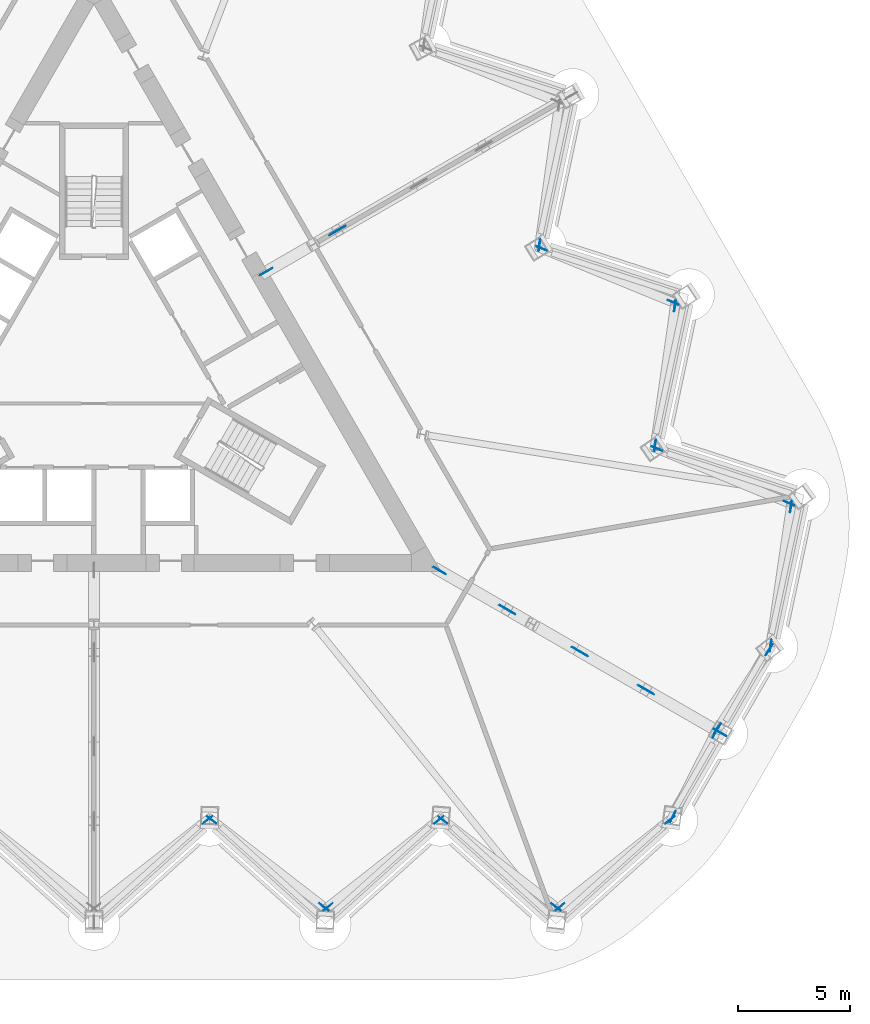
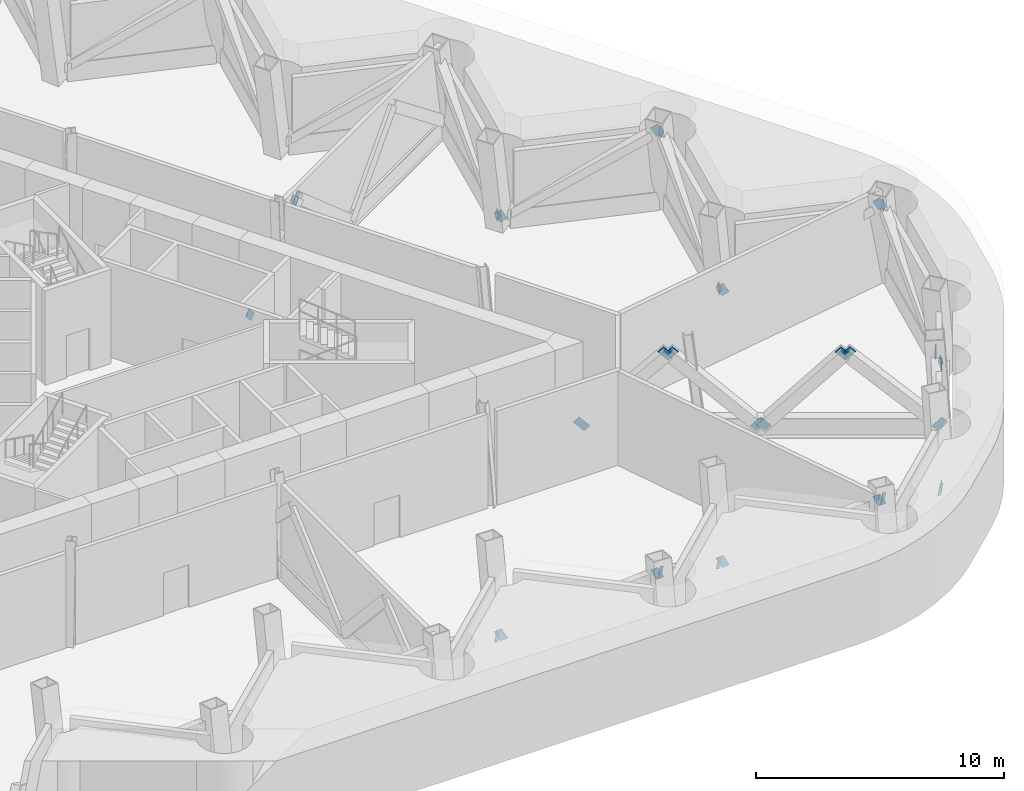
# One storey, part 9 of 13: 33 discrete accessories.
"""IFC4 building model written with IfcOpenShell, lengths in metres."""

from ifc_helpers import new_model, si_unit, direction, frame, origin, origin_2d, place, context, subcontext, project, spatial, rectangle, extrude, material, material_profile, profile_set, type_object, element, save


model = new_model("IFC4")

# Units and contexts
model_context = context("Model", 3, precision=1e-05, world=origin(), true_north=direction((0.0, 1.0)))
body_context = subcontext(model_context, "Body", "Model", "MODEL_VIEW")
ifc_project = project(units=[si_unit("LENGTHUNIT", "METRE"), si_unit("AREAUNIT", "SQUARE_METRE"), si_unit("VOLUMEUNIT", "CUBIC_METRE"), si_unit("PLANEANGLEUNIT", "RADIAN"), si_unit("MASSUNIT", "GRAM", prefix="KILO")], contexts=[model_context])

# Site, building, storey
site_placement = place(None, origin())
site = spatial("IfcSite", under=ifc_project, at=site_placement, CompositionType="ELEMENT")
building_placement = place(site_placement, origin())
building = spatial("IfcBuilding", under=site, at=building_placement, Name="Cormorant Prow Tower", CompositionType="ELEMENT")
storey_placement = place(building_placement, frame((0.0, 0.0, 226.0)))
storey = spatial("IfcBuildingStorey", under=building, at=storey_placement, Name="L49", CompositionType="ELEMENT", Elevation=226.0)

# Discrete accessories
ifc_material_1 = material(Name="Structural steel ASTM A500 Gr C", Category="steel")
ifc_material_profile_1 = material_profile(ifc_material_1, rectangle(XDim=0.031982421875, YDim=0.506103515625, at=origin_2d()), Name="Gusset plate 32x506")
ifc_profile_set_1 = profile_set([ifc_material_profile_1], Name="Structural steel ASTM A500 Gr C")
discrete_accessory_type_1 = type_object("IfcDiscreteAccessoryType", Name="Gusset plate 32x506", PredefinedType="BRACKET", material=ifc_profile_set_1)
discrete_accessory_1_placement = place(storey_placement, frame((4.96142578125, -20.154296875, 0.59912109375), z_axis=(0.684537831698, 0.533270306771, -0.497021867618), x_axis=(-0.614552200548, 0.788876158089, 0.0)))
element("IfcDiscreteAccessory", 1, at=discrete_accessory_1_placement, inside=storey, type_object=discrete_accessory_type_1, Name="Gusset plate GP2 L49.S05.g0", PredefinedType="BRACKET", context=body_context, shape_type="SweptSolid", body=[
    extrude(rectangle(XDim=0.031982421875, YDim=0.506103515625, at=origin_2d()), origin(), (0.0, 0.0, 1.0), 0.350341796875),
])
for number, where, z_axis, x_axis, name in (
    (2, (5.373046875, -20.15380859375, 0.5986328125), (-0.686866771604, 0.532060250491, -0.495101936892), (-0.612383612236, -0.790560757605, 0.0), "Gusset plate GP2 L49.S06.g0"),
    (3, (10.162841796875, -23.86083984375, 4.051513671875), (0.686866771604, -0.532060250491, 0.495101936892), (0.612383612236, 0.790560757605, 0.0), "Gusset plate GP2 L49.S06.g1"),
    (4, (15.2958984375, -20.15478515625, 0.599609375), (0.682067742862, 0.534914068277, -0.498648707716), (-0.617110632136, 0.786876399255, 0.0), "Gusset plate GP2 L49.S07.g0"),
):
    element("IfcDiscreteAccessory", number, at=place(storey_placement, frame(where, z_axis=z_axis, x_axis=x_axis)), inside=storey, type_object=discrete_accessory_type_1, Name=name, PredefinedType="BRACKET", context=body_context, shape_type="SweptSolid", body=[
        extrude(rectangle(XDim=0.031982421875, YDim=0.506103515625, at=origin_2d()), origin(), (0.0, 0.0, 1.0), 0.35009765625),
    ])
discrete_accessory_2_placement = place(storey_placement, frame((10.573486328125, -23.85986328125, 4.050537109375), z_axis=(-0.681931764395, -0.535354824248, 0.498361596497), x_axis=(0.617501497855, -0.786569704569, 0.0)))
element("IfcDiscreteAccessory", 5, at=discrete_accessory_2_placement, inside=storey, type_object=discrete_accessory_type_1, Name="Gusset plate GP2 L49.S07.g1", PredefinedType="BRACKET", context=body_context, shape_type="SweptSolid", body=[
    extrude(rectangle(XDim=0.031982421875, YDim=0.506103515625, at=origin_2d()), origin(), (0.0, 0.0, 1.0), 0.349853515625),
])
for number, where, z_axis, x_axis, name in (
    (6, (15.707275390625, -20.1533203125, 0.59814453125), (-0.689207803616, 0.530159848935, -0.493885754008), (-0.60971076085, -0.792623989105, 0.0), "Gusset plate GP2 L49.S08.g0"),
    (7, (20.531005859375, -23.861328125, 4.052001953125), (0.68981106465, -0.530087370206, 0.493120750968), (0.609323229483, 0.792921939419, 0.0), "Gusset plate GP2 L49.S08.g1"),
    (8, (25.63037109375, -20.1552734375, 0.60009765625), (0.67933311611, 0.53704979405, -0.500084029005), (-0.620166431531, 0.784470265339, 0.0), "Gusset plate GP2 L49.S09.g0"),
    (9, (20.941650390625, -23.859375, 4.050048828125), (-0.67933311611, -0.53704979405, 0.500084029005), (0.620166431531, -0.784470265339, 0.0), "Gusset plate GP2 L49.S09.g1"),
):
    element("IfcDiscreteAccessory", number, at=place(storey_placement, frame(where, z_axis=z_axis, x_axis=x_axis)), inside=storey, type_object=discrete_accessory_type_1, Name=name, PredefinedType="BRACKET", context=body_context, shape_type="SweptSolid", body=[
        extrude(rectangle(XDim=0.031982421875, YDim=0.506103515625, at=origin_2d()), origin(), (0.0, 0.0, 1.0), 0.35009765625),
    ])
discrete_accessory_3_placement = place(storey_placement, frame((25.937255859375, -19.790283203125, 0.64453125), z_axis=(-0.343608325147, -0.6795499331, -0.648186090034), x_axis=(0.892404493698, -0.45123632348, 0.0)))
element("IfcDiscreteAccessory", 10, at=discrete_accessory_3_placement, inside=storey, type_object=discrete_accessory_type_1, Name="Gusset plate GP2 L49.ESE00.g0", PredefinedType="BRACKET", context=body_context, shape_type="SweptSolid", body=[
    extrude(rectangle(XDim=0.031982421875, YDim=0.506103515625, at=origin_2d()), origin(), (0.0, 0.0, 1.0), 0.350341796875),
])
discrete_accessory_4_placement = place(storey_placement, frame((27.718505859375, -16.2666015625, 4.005615234375), z_axis=(0.343926574241, 0.67948171057, 0.648088818398), x_axis=(-0.892217899749, 0.451605158703, 0.0)))
element("IfcDiscreteAccessory", 11, at=discrete_accessory_4_placement, inside=storey, type_object=discrete_accessory_type_1, Name="Gusset plate GP2 L49.ESE00.g1", PredefinedType="BRACKET", context=body_context, shape_type="SweptSolid", body=[
    extrude(rectangle(XDim=0.031982421875, YDim=0.506103515625, at=origin_2d()), origin(), (0.0, 0.0, 1.0), 0.349853515625),
])
discrete_accessory_5_placement = place(storey_placement, frame((30.107666015625, -12.567138671875, 0.64453125), z_axis=(0.416282667863, 0.637323883462, -0.648480537877), x_axis=(-0.837227710568, 0.546854423642, 0.0)))
element("IfcDiscreteAccessory", 12, at=discrete_accessory_5_placement, inside=storey, type_object=discrete_accessory_type_1, Name="Gusset plate GP2 L49.ESE01.g0", PredefinedType="BRACKET", context=body_context, shape_type="SweptSolid", body=[
    extrude(rectangle(XDim=0.031982421875, YDim=0.506103515625, at=origin_2d()), origin(), (0.0, 0.0, 1.0), 0.35009765625),
])
for number, where, z_axis, x_axis, name in (
    (13, (27.946533203125, -15.87158203125, 4.005615234375), (-0.416470928816, -0.637612108773, 0.648076202462), (0.837227710568, -0.546854423642, 0.0), "Gusset plate GP2 L49.ESE01.g1"),
    (14, (30.270263671875, -12.118896484375, 0.60009765625), (-0.125580522605, -0.856738231991, -0.500229081708), (0.989427250348, -0.145030052983, 0.0), "Gusset plate GP2 L49.ENE00.g0"),
    (15, (31.1337890625, -6.206298828125, 4.050048828125), (0.124893765522, 0.856813095311, 0.500272792621), (-0.989542567854, 0.144241139777, 0.0), "Gusset plate GP2 L49.ENE00.g1"),
):
    element("IfcDiscreteAccessory", number, at=place(storey_placement, frame(where, z_axis=z_axis, x_axis=x_axis)), inside=storey, type_object=discrete_accessory_type_1, Name=name, PredefinedType="BRACKET", context=body_context, shape_type="SweptSolid", body=[
        extrude(rectangle(XDim=0.031982421875, YDim=0.506103515625, at=origin_2d()), origin(), (0.0, 0.0, 1.0), 0.349853515625),
    ])
discrete_accessory_6_placement = place(storey_placement, frame((25.306884765625, -3.5263671875, 0.59814453125), z_axis=(-0.803623232276, 0.332052655003, -0.493893444836), x_axis=(-0.381879341576, -0.924212188016, 0.0)))
element("IfcDiscreteAccessory", 16, at=discrete_accessory_6_placement, inside=storey, type_object=discrete_accessory_type_1, Name="Gusset plate GP2 L49.ENE01.g0", PredefinedType="BRACKET", context=body_context, shape_type="SweptSolid", body=[
    extrude(rectangle(XDim=0.031982421875, YDim=0.506103515625, at=origin_2d()), origin(), (0.0, 0.0, 1.0), 0.35009765625),
])
discrete_accessory_7_placement = place(storey_placement, frame((30.93017578125, -5.849609375, 4.052001953125), z_axis=(0.803900055991, -0.332167037024, 0.493365746168), x_axis=(0.381879341576, 0.924212188016, 0.0)))
element("IfcDiscreteAccessory", 17, at=discrete_accessory_7_placement, inside=storey, type_object=discrete_accessory_type_1, Name="Gusset plate GP2 L49.ENE01.g1", PredefinedType="BRACKET", context=body_context, shape_type="SweptSolid", body=[
    extrude(rectangle(XDim=0.031982421875, YDim=0.506103515625, at=origin_2d()), origin(), (0.0, 0.0, 1.0), 0.349853515625),
])
for number, where, z_axis, x_axis, name in (
    (18, (25.1025390625, -3.169189453125, 0.599609375), (-0.12269763804, -0.858186320608, -0.498459154537), (0.989933403857, -0.141533939138, 0.0), "Gusset plate GP2 L49.ENE02.g0"),
    (19, (25.9501953125, 2.77294921875, 4.050537109375), (0.122053298039, 0.858557770774, 0.497977455997), (-0.990045774508, 0.140745743736, 0.0), "Gusset plate GP2 L49.ENE02.g1"),
    (20, (20.14013671875, 5.423828125, 0.5986328125), (-0.804056947332, 0.329154275057, -0.49512613409), (-0.378851611009, -0.925457431131, 0.0), "Gusset plate GP2 L49.ENE03.g0"),
    (21, (25.74560546875, 3.129150390625, 4.051513671875), (0.804056947332, -0.329154275057, 0.49512613409), (0.378851611009, 0.925457431131, 0.0), "Gusset plate GP2 L49.ENE03.g1"),
    (22, (19.934814453125, 5.7802734375, 0.59912109375), (-0.119961101669, -0.859256263118, -0.497280613314), (0.990394657422, -0.138269383991, 0.0), "Gusset plate GP2 L49.ENE04.g0"),
):
    element("IfcDiscreteAccessory", number, at=place(storey_placement, frame(where, z_axis=z_axis, x_axis=x_axis)), inside=storey, type_object=discrete_accessory_type_1, Name=name, PredefinedType="BRACKET", context=body_context, shape_type="SweptSolid", body=[
        extrude(rectangle(XDim=0.031982421875, YDim=0.506103515625, at=origin_2d()), origin(), (0.0, 0.0, 1.0), 0.35009765625),
    ])
ifc_material_2 = material(Name="Structural steel ASTM A500 Gr C", Category="steel")
ifc_material_profile_2 = material_profile(ifc_material_2, rectangle(XDim=0.031982421875, YDim=0.60791015625, at=origin_2d()), Name="Gusset plate 32x608")
ifc_profile_set_2 = profile_set([ifc_material_profile_2], Name="Structural steel ASTM A500 Gr C")
discrete_accessory_type_2 = type_object("IfcDiscreteAccessoryType", Name="Gusset plate 32x608", PredefinedType="BRACKET", material=ifc_profile_set_2)
for number, where, z_axis, x_axis, name in (
    (23, (15.552001953125, -8.97900390625, 0.71435546875), (-0.606528819606, 0.349974100508, -0.713891392272), (-0.499779910804, -0.866152435058, 0.0), "Gusset plate GP1 L49.09.1.g0"),
    (24, (18.28955078125, -10.5595703125, 3.935791015625), (0.60683076463, -0.350148326257, 0.713549278409), (0.499779910804, 0.866152435058, 0.0), "Gusset plate GP1 L49.09.1.g1"),
    (25, (18.65771484375, -10.77197265625, 3.9404296875), (-0.620074641984, 0.357815850774, 0.698194281919), (-0.4998067952, -0.866136921896, 0.0), "Gusset plate GP1 L49.09.2.g0"),
):
    element("IfcDiscreteAccessory", number, at=place(storey_placement, frame(where, z_axis=z_axis, x_axis=x_axis)), inside=storey, type_object=discrete_accessory_type_2, Name=name, PredefinedType="BRACKET", context=body_context, shape_type="SweptSolid", body=[
        extrude(rectangle(XDim=0.031982421875, YDim=0.60791015625, at=origin_2d()), origin(), (0.0, 0.0, 1.0), 0.35009765625),
    ])
discrete_accessory_8_placement = place(storey_placement, frame((21.5283203125, -12.429443359375, 0.70947265625), z_axis=(0.620376680767, -0.35799014312, -0.697836536296), x_axis=(0.4998067952, 0.866136921896, 0.0)))
element("IfcDiscreteAccessory", 26, at=discrete_accessory_8_placement, inside=storey, type_object=discrete_accessory_type_2, Name="Gusset plate GP1 L49.09.2.g1", PredefinedType="BRACKET", context=body_context, shape_type="SweptSolid", body=[
    extrude(rectangle(XDim=0.031982421875, YDim=0.60791015625, at=origin_2d()), origin(), (0.0, 0.0, 1.0), 0.349853515625),
])
discrete_accessory_9_placement = place(storey_placement, frame((21.89208984375, -12.639404296875, 0.718994140625), z_axis=(-0.592243060684, 0.341812838322, -0.729665773234), x_axis=(-0.499869636591, -0.866100656052, 0.0)))
element("IfcDiscreteAccessory", 27, at=discrete_accessory_9_placement, inside=storey, type_object=discrete_accessory_type_2, Name="Gusset plate GP1 L49.09.3.g0", PredefinedType="BRACKET", context=body_context, shape_type="SweptSolid", body=[
    extrude(rectangle(XDim=0.031982421875, YDim=0.60791015625, at=origin_2d()), origin(), (0.0, 0.0, 1.0), 0.35009765625),
])
discrete_accessory_10_placement = place(storey_placement, frame((24.497314453125, -14.1435546875, 3.930908203125), z_axis=(0.591789879212, -0.341954057564, 0.729967233085), x_axis=(0.500311619692, 0.865845415303, 0.0)))
element("IfcDiscreteAccessory", 28, at=discrete_accessory_10_placement, inside=storey, type_object=discrete_accessory_type_2, Name="Gusset plate GP1 L49.09.3.g1", PredefinedType="BRACKET", context=body_context, shape_type="SweptSolid", body=[
    extrude(rectangle(XDim=0.031982421875, YDim=0.60791015625, at=origin_2d()), origin(), (0.0, 0.0, 1.0), 0.349853515625),
])
discrete_accessory_11_placement = place(storey_placement, frame((24.86474609375, -14.355712890625, 3.945068359375), z_axis=(-0.633020729157, 0.365311522113, 0.682519046085), x_axis=(-0.499832553123, -0.866122057702, 0.0)))
element("IfcDiscreteAccessory", 29, at=discrete_accessory_11_placement, inside=storey, type_object=discrete_accessory_type_2, Name="Gusset plate GP1 L49.09.4.g0", PredefinedType="BRACKET", context=body_context, shape_type="SweptSolid", body=[
    extrude(rectangle(XDim=0.031982421875, YDim=0.60791015625, at=origin_2d()), origin(), (0.0, 0.0, 1.0), 0.35009765625),
])
discrete_accessory_12_placement = place(storey_placement, frame((27.868896484375, -16.090087890625, 0.704833984375), z_axis=(0.63290399044, -0.36564684784, -0.682447742724), x_axis=(0.500245787068, 0.865883452043, 0.0)))
element("IfcDiscreteAccessory", 30, at=discrete_accessory_12_placement, inside=storey, type_object=discrete_accessory_type_2, Name="Gusset plate GP1 L49.09.4.g1", PredefinedType="BRACKET", context=body_context, shape_type="SweptSolid", body=[
    extrude(rectangle(XDim=0.031982421875, YDim=0.60791015625, at=origin_2d()), origin(), (0.0, 0.0, 1.0), 0.349853515625),
])
for number, where, z_axis, x_axis, name in (
    (31, (7.806884765625, 4.50732421875, 0.708740234375), (-0.62268410489, -0.359106734623, -0.695202746445), (0.49958248226, -0.866266323609, 0.0), "Gusset plate GP1 L49.11.1.g0"),
    (32, (10.699951171875, 6.177734375, 3.941162109375), (0.62268410489, 0.359106734623, 0.695202746445), (-0.49958248226, 0.866266323609, 0.0), "Gusset plate GP1 L49.11.1.g1"),
):
    element("IfcDiscreteAccessory", number, at=place(storey_placement, frame(where, z_axis=z_axis, x_axis=x_axis)), inside=storey, type_object=discrete_accessory_type_2, Name=name, PredefinedType="BRACKET", context=body_context, shape_type="SweptSolid", body=[
        extrude(rectangle(XDim=0.031982421875, YDim=0.60791015625, at=origin_2d()), origin(), (0.0, 0.0, 1.0), 0.35009765625),
    ])
discrete_accessory_13_placement = place(storey_placement, frame((11.08251953125, 6.398681640625, 3.952880859375), z_axis=(-0.653052889335, -0.377458988387, 0.656541419727), x_axis=(0.500416287672, -0.865784926545, 0.0)))
element("IfcDiscreteAccessory", 33, at=discrete_accessory_13_placement, inside=storey, type_object=discrete_accessory_type_2, Name="Gusset plate GP1 L49.11.2.g0", PredefinedType="BRACKET", context=body_context, shape_type="SweptSolid", body=[
    extrude(rectangle(XDim=0.031982421875, YDim=0.60791015625, at=origin_2d()), origin(), (0.0, 0.0, 1.0), 0.349853515625),
])

save(model, "model.ifc")
